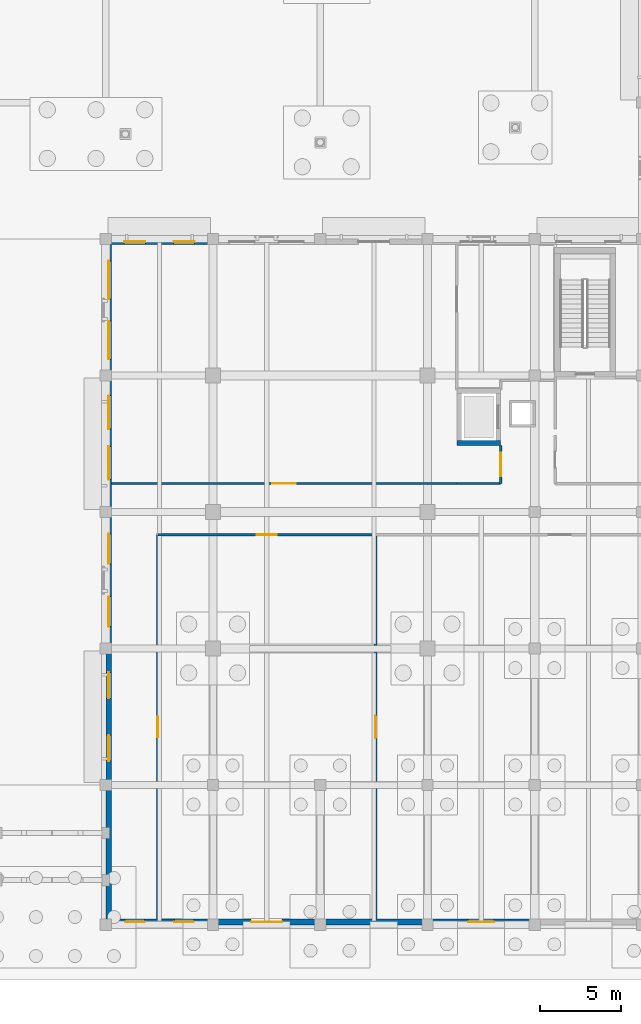
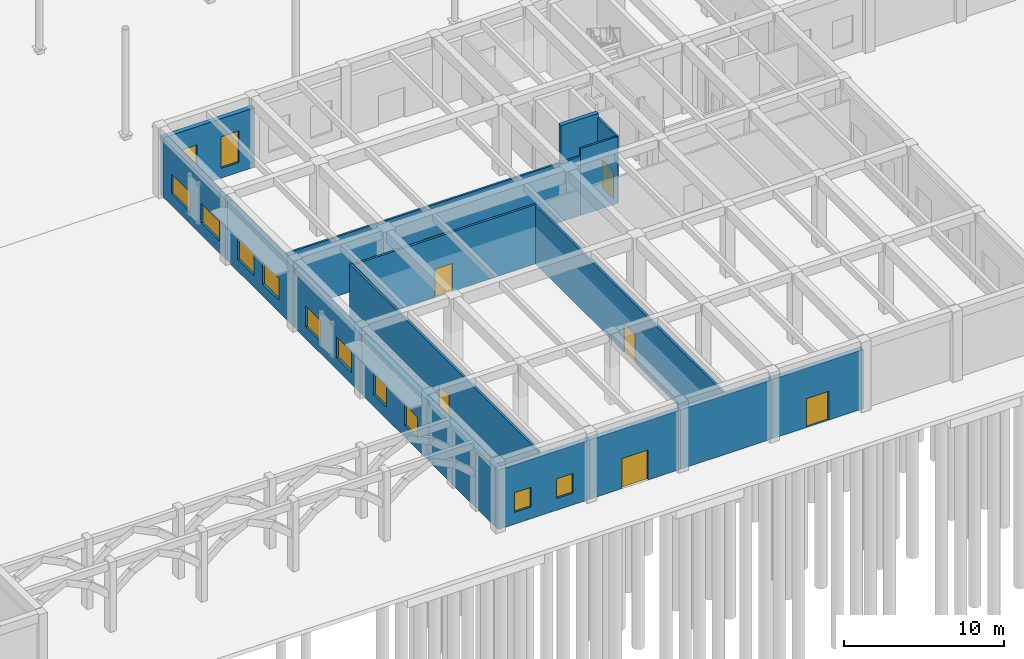
# One storey, part 52 of 82: 17 walls, 12 windows, 7 doors, 19 openings.
"""IFC4 building model written with IfcOpenShell, lengths in metres."""

from ifc_helpers import new_model, si_unit, direction, frame, frame_2d, origin, place, context, subcontext, project, spatial, rectangle, extrude, material, layer, layer_set, type_object, element, fill, save


model = new_model("IFC4")

# Units and contexts
model_context = context("Model", 3, precision=1e-05, world=origin(), true_north=direction((0.0, 1.0)))
body_context = subcontext(model_context, "Body", "Model", "MODEL_VIEW")
ifc_project = project(units=[si_unit("LENGTHUNIT", "METRE"), si_unit("AREAUNIT", "SQUARE_METRE"), si_unit("VOLUMEUNIT", "CUBIC_METRE"), si_unit("PLANEANGLEUNIT", "RADIAN"), si_unit("MASSUNIT", "GRAM", prefix="KILO")], contexts=[model_context])

# Site, building, storey
site_placement = place(None, origin())
site = spatial("IfcSite", under=ifc_project, at=site_placement, CompositionType="ELEMENT")
building_placement = place(site_placement, origin())
building = spatial("IfcBuilding", under=site, at=building_placement, Name="Kolvaren Faculty of Natural Sciences", CompositionType="ELEMENT")
storey_placement = place(building_placement, origin())
storey = spatial("IfcBuildingStorey", under=building, at=storey_placement, Name="L00", CompositionType="ELEMENT", Elevation=0.0)

# Wall, opening, door
ifc_material_1 = material(Name="Acoustic mineral-wool insulated gypsum partition")
ifc_layer_1 = layer(ifc_material_1, 0.159912109375)
ifc_layer_set_1 = layer_set([ifc_layer_1], Name="Acoustic mineral-wool insulated gypsum partition")
wall_type_1 = type_object("IfcWallType", Name="ClassroomPartitionWall_160", PredefinedType="PARTITIONING", material=ifc_layer_set_1)
wall_1_placement = place(storey_placement, frame((115.800048828125, 24.0, 0.0), z_axis=(0.0, 0.0, 1.0), x_axis=(0.0, -1.0, 0.0)))
wall_1 = element("IfcWall", 1, at=wall_1_placement, inside=storey, type_object=wall_type_1, Name="L00 interior partition PW-160", PredefinedType="PARTITIONING", context=body_context, shape_type="SweptSolid", body=[
    extrude(rectangle(XDim=23.657958984375, YDim=0.159912109375, at=frame_2d((11.8291015625, 0.0))), origin(), (0.0, 0.0, 1.0), 4.43505859375),
])
opening_1_placement = place(wall_1_placement, frame((11.14892578125, 0.0, 0.0)))
opening_1 = element("IfcOpeningElement", 2, at=opening_1_placement, cuts=wall_1, Name="Opening ID-26", PredefinedType="OPENING", context=body_context, shape_type="SweptSolid", body=[
    extrude(rectangle(XDim=1.360107421875, YDim=2.139892578125, at=frame_2d((0.68017578125, 1.06982421875))), frame((0.0, 0.08984375, 0.0), z_axis=(0.0, -1.0, 0.0), x_axis=(1.0, 0.0, 0.0)), (0.0, 0.0, 1.0), 0.179931640625),
])
ifc_material_2 = material(Name="Thermally broken anodised aluminium glazed door", Category="aluminium")
door_type_1 = type_object("IfcDoorType", Name="InteriorRoomDoor_1360x2140", OperationType="DOUBLE_DOOR_SINGLE_SWING", PredefinedType="DOOR", material=ifc_material_2)
door_1_placement = place(opening_1_placement, origin())
door_1 = element("IfcDoor", 3, at=door_1_placement, inside=storey, type_object=door_type_1, Name="D-L00-0087", OperationType="DOUBLE_DOOR_SINGLE_SWING", OverallHeight=2.139892578125, OverallWidth=1.360107421875, PredefinedType="DOOR", context=body_context, shape_type="SweptSolid", body=[
    extrude(rectangle(XDim=1.360107421875, YDim=2.139892578125, at=frame_2d((0.68017578125, 1.06982421875))), frame((0.0, 0.02490234375, 0.0), z_axis=(0.0, -1.0, 0.0), x_axis=(1.0, 0.0, 0.0)), (0.0, 0.0, 1.0), 0.050048828125),
])
fill(opening_1, door_1)

wall_2_placement = place(storey_placement, frame((102.39990234375, 0.342041015625, 0.0), z_axis=(0.0, 0.0, 1.0), x_axis=(0.0, 1.0, 0.0)))
wall_2 = element("IfcWall", 4, at=wall_2_placement, inside=storey, type_object=wall_type_1, Name="L00 interior partition PW-160", PredefinedType="PARTITIONING", context=body_context, shape_type="SweptSolid", body=[
    extrude(rectangle(XDim=23.657958984375, YDim=0.159912109375, at=frame_2d((11.8291015625, 0.0))), origin(), (0.0, 0.0, 1.0), 4.68505859375),
])
opening_2_placement = place(wall_2_placement, frame((11.208984375, 0.0, 0.0)))
opening_2 = element("IfcOpeningElement", 5, at=opening_2_placement, cuts=wall_2, Name="Opening ID-25", PredefinedType="OPENING", context=body_context, shape_type="SweptSolid", body=[
    extrude(rectangle(XDim=1.239990234375, YDim=2.139892578125, at=frame_2d((0.6201171875, 1.06982421875))), frame((0.0, 0.08984375, 0.0), z_axis=(0.0, -1.0, 0.0), x_axis=(1.0, 0.0, 0.0)), (0.0, 0.0, 1.0), 0.179931640625),
])
ifc_material_3 = material(Name="Solid-core hardwood veneer door leaf in steel frame", Category="steel")
door_type_2 = type_object("IfcDoorType", Name="InteriorRoomDoor_1240x2140", OperationType="NOTDEFINED", PredefinedType="DOOR", material=ifc_material_3)
door_2_placement = place(opening_2_placement, origin())
door_2 = element("IfcDoor", 6, at=door_2_placement, inside=storey, type_object=door_type_2, Name="D-L00-0084", OperationType="SINGLE_SWING_RIGHT", OverallHeight=2.139892578125, OverallWidth=1.239990234375, PredefinedType="DOOR", context=body_context, shape_type="SweptSolid", body=[
    extrude(rectangle(XDim=1.239990234375, YDim=2.139892578125, at=frame_2d((0.6201171875, 1.06982421875))), frame((0.0, 0.02490234375, 0.0), z_axis=(0.0, -1.0, 0.0), x_axis=(1.0, 0.0, 0.0)), (0.0, 0.0, 1.0), 0.050048828125),
])
fill(opening_2, door_2)

wall_3_placement = place(storey_placement, frame((102.39990234375, 24.0, 0.0), z_axis=(0.0, 0.0, 1.0), x_axis=(1.0, 0.0, 0.0)))
wall_3 = element("IfcWall", 7, at=wall_3_placement, inside=storey, type_object=wall_type_1, Name="L00 interior partition PW-160", PredefinedType="PARTITIONING", context=body_context, shape_type="SweptSolid", body=[
    extrude(rectangle(XDim=13.400146484375, YDim=0.159912109375, at=frame_2d((6.7001953125, 0.0))), origin(), (0.0, 0.0, 1.0), 4.534912109375),
])
opening_3_placement = place(wall_3_placement, frame((6.080078125, 0.0, 0.0)))
opening_3 = element("IfcOpeningElement", 8, at=opening_3_placement, cuts=wall_3, Name="Opening ID-25", PredefinedType="OPENING", context=body_context, shape_type="SweptSolid", body=[
    extrude(rectangle(XDim=1.239990234375, YDim=2.139892578125, at=frame_2d((0.6201171875, 1.06982421875))), frame((0.0, 0.08984375, 0.0), z_axis=(0.0, -1.0, 0.0), x_axis=(1.0, 0.0, 0.0)), (0.0, 0.0, 1.0), 0.179931640625),
])
door_3_placement = place(opening_3_placement, origin())
door_3 = element("IfcDoor", 9, at=door_3_placement, inside=storey, type_object=door_type_2, Name="D-L00-0085", OperationType="SINGLE_SWING_LEFT", OverallHeight=2.139892578125, OverallWidth=1.239990234375, PredefinedType="DOOR", context=body_context, shape_type="SweptSolid", body=[
    extrude(rectangle(XDim=1.239990234375, YDim=2.139892578125, at=frame_2d((0.6201171875, 1.06982421875))), frame((0.0, 0.02490234375, 0.0), z_axis=(0.0, -1.0, 0.0), x_axis=(1.0, 0.0, 0.0)), (0.0, 0.0, 1.0), 0.050048828125),
])
fill(opening_3, door_3)

ifc_layer_2 = layer(ifc_material_1, 0.139892578125)
ifc_layer_set_2 = layer_set([ifc_layer_2], Name="Acoustic mineral-wool insulated gypsum partition")
wall_type_2 = type_object("IfcWallType", Name="CommonsPartitionWall_140", PredefinedType="PARTITIONING", material=ifc_layer_set_2)
wall_4_placement = place(storey_placement, frame((120.800048828125, 27.14990234375, 0.0), z_axis=(0.0, 0.0, 1.0), x_axis=(-1.0, 0.0, 0.0)))
wall_4 = element("IfcWall", 10, at=wall_4_placement, inside=storey, type_object=wall_type_2, Name="L00 interior partition PW-140", PredefinedType="PARTITIONING", context=body_context, shape_type="SweptSolid", body=[
    extrude(rectangle(XDim=21.258056640625, YDim=0.139892578125, at=frame_2d((10.62890625, 0.0))), origin(), (0.0, 0.0, 1.0), 4.534912109375),
])
opening_4_placement = place(wall_4_placement, frame((9.908935546875, 0.0, 0.0)))
opening_4 = element("IfcOpeningElement", 11, at=opening_4_placement, cuts=wall_4, Name="Opening ID-27", PredefinedType="OPENING", context=body_context, shape_type="SweptSolid", body=[
    extrude(rectangle(XDim=1.43994140625, YDim=2.139892578125, at=frame_2d((0.719970703125, 1.06982421875))), frame((0.0, 0.079833984375, 0.0), z_axis=(0.0, -1.0, 0.0), x_axis=(1.0, 0.0, 0.0)), (0.0, 0.0, 1.0), 0.159912109375),
])
door_type_3 = type_object("IfcDoorType", Name="InteriorRoomDoor_1440x2140", OperationType="DOUBLE_DOOR_SINGLE_SWING", PredefinedType="DOOR", material=ifc_material_2)
door_4_placement = place(opening_4_placement, origin())
door_4 = element("IfcDoor", 12, at=door_4_placement, inside=storey, type_object=door_type_3, Name="D-L00-0088", OperationType="DOUBLE_DOOR_SINGLE_SWING", OverallHeight=2.139892578125, OverallWidth=1.43994140625, PredefinedType="DOOR", context=body_context, shape_type="SweptSolid", body=[
    extrude(rectangle(XDim=1.43994140625, YDim=2.139892578125, at=frame_2d((0.719970703125, 1.06982421875))), frame((0.0, 0.02490234375, 0.0), z_axis=(0.0, -1.0, 0.0), x_axis=(1.0, 0.0, 0.0)), (0.0, 0.0, 1.0), 0.050048828125),
])
fill(opening_4, door_4)

wall_5_placement = place(storey_placement, frame((123.5, 29.498046875, 0.0), z_axis=(0.0, 0.0, 1.0), x_axis=(0.0, -1.0, 0.0)))
wall_5 = element("IfcWall", 13, at=wall_5_placement, inside=storey, type_object=wall_type_2, Name="L00 interior partition PW-140", PredefinedType="PARTITIONING", context=body_context, shape_type="SweptSolid", body=[
    extrude(rectangle(XDim=2.34814453125, YDim=0.139892578125, at=frame_2d((1.174072265625, 0.0))), origin(), (0.0, 0.0, 1.0), 5.094970703125),
])
opening_5_placement = place(wall_5_placement, frame((0.4541015625, 0.0, 0.0)))
opening_5 = element("IfcOpeningElement", 14, at=opening_5_placement, cuts=wall_5, Name="Opening ID-27", PredefinedType="OPENING", context=body_context, shape_type="SweptSolid", body=[
    extrude(rectangle(XDim=1.43994140625, YDim=2.139892578125, at=frame_2d((0.719970703125, 1.06982421875))), frame((0.0, 0.079833984375, 0.0), z_axis=(0.0, -1.0, 0.0), x_axis=(1.0, 0.0, 0.0)), (0.0, 0.0, 1.0), 0.159912109375),
])
door_5_placement = place(opening_5_placement, origin())
door_5 = element("IfcDoor", 15, at=door_5_placement, inside=storey, type_object=door_type_3, Name="D-L00-0089", OperationType="DOUBLE_DOOR_SINGLE_SWING", OverallHeight=2.139892578125, OverallWidth=1.43994140625, PredefinedType="DOOR", context=body_context, shape_type="SweptSolid", body=[
    extrude(rectangle(XDim=1.43994140625, YDim=2.139892578125, at=frame_2d((0.719970703125, 1.06982421875))), frame((0.0, 0.02490234375, 0.0), z_axis=(0.0, -1.0, 0.0), x_axis=(1.0, 0.0, 0.0)), (0.0, 0.0, 1.0), 0.050048828125),
])
fill(opening_5, door_5)

# Wall
wall_6_placement = place(storey_placement, frame((123.5, 27.14990234375, 0.0), z_axis=(0.0, 0.0, 1.0), x_axis=(-1.0, 0.0, 0.0)))
element("IfcWall", 16, at=wall_6_placement, inside=storey, type_object=wall_type_2, Name="L00 interior partition PW-140", PredefinedType="PARTITIONING", context=body_context, shape_type="SweptSolid", body=[
    extrude(rectangle(XDim=2.699951171875, YDim=0.139892578125, at=frame_2d((1.35009765625, 0.0))), origin(), (0.0, 0.0, 1.0), 5.094970703125),
])

# Wall, opening, door
ifc_material_4 = material(Name="Sandstone-faced insulated cavity masonry", Category="masonry")
ifc_layer_3 = layer(ifc_material_4, 0.340087890625)
ifc_layer_set_3 = layer_set([ifc_layer_3], Name="Sandstone-faced insulated cavity masonry")
wall_type_3 = type_object("IfcWallType", Name="ExteriorCavityWall_340", PredefinedType="STANDARD", material=ifc_layer_set_3)
wall_7_placement = place(storey_placement, frame((125.60009765625, 0.169921875, 0.0), z_axis=(0.0, 0.0, 1.0), x_axis=(-1.0, 0.0, 0.0)))
wall_7 = element("IfcWall", 17, at=wall_7_placement, inside=storey, type_object=wall_type_3, Name="L00 exterior masonry wall EW-340 (135)", PredefinedType="STANDARD", context=body_context, shape_type="SweptSolid", body=[
    extrude(rectangle(XDim=6.60009765625, YDim=0.340087890625, at=frame_2d((3.300048828125, 0.0))), origin(), (0.0, 0.0, 1.0), 4.534912109375),
])
opening_6_placement = place(wall_7_placement, frame((2.5, 0.0, 0.0)))
opening_6 = element("IfcOpeningElement", 18, at=opening_6_placement, cuts=wall_7, Name="Opening ED-03", PredefinedType="OPENING", context=body_context, shape_type="SweptSolid", body=[
    extrude(rectangle(XDim=1.60009765625, YDim=2.199951171875, at=frame_2d((0.800048828125, 1.10009765625))), frame((0.0, 0.179931640625, 0.0), z_axis=(0.0, -1.0, 0.0), x_axis=(1.0, 0.0, 0.0)), (0.0, 0.0, 1.0), 0.360107421875),
])
ifc_material_5 = material(Name="Thermally broken anodised aluminium framing", Category="aluminium")
door_type_4 = type_object("IfcDoorType", Name="FinalExitDoubleDoor_1600x2200", OperationType="DOUBLE_DOOR_SINGLE_SWING", PredefinedType="DOOR", material=ifc_material_5)
door_6_placement = place(opening_6_placement, origin())
door_6 = element("IfcDoor", 19, at=door_6_placement, inside=storey, type_object=door_type_4, Name="D-L00-EX-22", OperationType="DOUBLE_DOOR_SINGLE_SWING", OverallHeight=2.199951171875, OverallWidth=1.60009765625, PredefinedType="DOOR", context=body_context, shape_type="SweptSolid", body=[
    extrude(rectangle(XDim=1.60009765625, YDim=2.199951171875, at=frame_2d((0.800048828125, 1.10009765625))), frame((0.0, 0.02490234375, 0.0), z_axis=(0.0, -1.0, 0.0), x_axis=(1.0, 0.0, 0.0)), (0.0, 0.0, 1.0), 0.050048828125),
])
fill(opening_6, door_6)

# Wall
wall_8_placement = place(storey_placement, frame((119.0, 0.169921875, 0.0), z_axis=(0.0, 0.0, 1.0), x_axis=(-1.0, 0.0, 0.0)))
element("IfcWall", 20, at=wall_8_placement, inside=storey, type_object=wall_type_3, Name="L00 exterior masonry wall EW-340 (136)", PredefinedType="STANDARD", context=body_context, shape_type="SweptSolid", body=[
    extrude(rectangle(XDim=6.60009765625, YDim=0.340087890625, at=frame_2d((3.300048828125, 0.0))), origin(), (0.0, 0.0, 1.0), 4.534912109375),
])

# Wall, opening, door
wall_9_placement = place(storey_placement, frame((112.39990234375, 0.169921875, 0.0), z_axis=(0.0, 0.0, 1.0), x_axis=(-1.0, 0.0, 0.0)))
wall_9 = element("IfcWall", 21, at=wall_9_placement, inside=storey, type_object=wall_type_3, Name="L00 exterior masonry wall EW-340 (137)", PredefinedType="STANDARD", context=body_context, shape_type="SweptSolid", body=[
    extrude(rectangle(XDim=6.599853515625, YDim=0.340087890625, at=frame_2d((3.2998046875, 0.0))), origin(), (0.0, 0.0, 1.0), 4.534912109375),
])
opening_7_placement = place(wall_9_placement, frame((2.35009765625, 0.0, 0.0)))
opening_7 = element("IfcOpeningElement", 22, at=opening_7_placement, cuts=wall_9, Name="Opening ED-02", PredefinedType="OPENING", context=body_context, shape_type="SweptSolid", body=[
    extrude(rectangle(XDim=1.89990234375, YDim=2.300048828125, at=frame_2d((0.949951171875, 1.14990234375))), frame((0.0, 0.179931640625, 0.0), z_axis=(0.0, -1.0, 0.0), x_axis=(1.0, 0.0, 0.0)), (0.0, 0.0, 1.0), 0.360107421875),
])
door_type_5 = type_object("IfcDoorType", Name="PlazaExitDoubleDoor_1900x2300", OperationType="DOUBLE_DOOR_SINGLE_SWING", PredefinedType="DOOR", material=ifc_material_5)
door_7_placement = place(opening_7_placement, origin())
door_7 = element("IfcDoor", 23, at=door_7_placement, inside=storey, type_object=door_type_5, Name="D-L00-EX-21", OperationType="DOUBLE_DOOR_SINGLE_SWING", OverallHeight=2.300048828125, OverallWidth=1.89990234375, PredefinedType="DOOR", context=body_context, shape_type="SweptSolid", body=[
    extrude(rectangle(XDim=1.89990234375, YDim=2.300048828125, at=frame_2d((0.949951171875, 1.14990234375))), frame((0.0, 0.02490234375, 0.0), z_axis=(0.0, -1.0, 0.0), x_axis=(1.0, 0.0, 0.0)), (0.0, 0.0, 1.0), 0.050048828125),
])
fill(opening_7, door_7)

# Wall, openings, windows
wall_10_placement = place(storey_placement, frame((105.800048828125, 0.169921875, 0.0), z_axis=(0.0, 0.0, 1.0), x_axis=(-1.0, 0.0, 0.0)))
wall_10 = element("IfcWall", 24, at=wall_10_placement, inside=storey, type_object=wall_type_3, Name="L00 exterior masonry wall EW-340 (138)", PredefinedType="STANDARD", context=body_context, shape_type="SweptSolid", body=[
    extrude(rectangle(XDim=6.60009765625, YDim=0.340087890625, at=frame_2d((3.300048828125, 0.0))), origin(), (0.0, 0.0, 1.0), 4.534912109375),
])
opening_8_placement = place(wall_10_placement, frame((1.181884765625, 0.0, 0.89990234375)))
opening_8 = element("IfcOpeningElement", 25, at=opening_8_placement, cuts=wall_10, Name="Opening WIN-13", PredefinedType="OPENING", context=body_context, shape_type="SweptSolid", body=[
    extrude(rectangle(XDim=1.199951171875, YDim=1.5, at=frame_2d((0.60009765625, 0.75))), frame((0.0, 0.179931640625, 0.0), z_axis=(0.0, -1.0, 0.0), x_axis=(1.0, 0.0, 0.0)), (0.0, 0.0, 1.0), 0.360107421875),
])
opening_9_placement = place(wall_10_placement, frame((4.218017578125, 0.0, 0.89990234375)))
opening_9 = element("IfcOpeningElement", 26, at=opening_9_placement, cuts=wall_10, Name="Opening WIN-13", PredefinedType="OPENING", context=body_context, shape_type="SweptSolid", body=[
    extrude(rectangle(XDim=1.199951171875, YDim=1.5, at=frame_2d((0.60009765625, 0.75))), frame((0.0, 0.179931640625, 0.0), z_axis=(0.0, -1.0, 0.0), x_axis=(1.0, 0.0, 0.0)), (0.0, 0.0, 1.0), 0.360107421875),
])
ifc_material_6 = material(Name="Double low-E solar control insulated glazing", Category="glass")
window_type_1 = type_object("IfcWindowType", Name="AluWindow_WIN13_1200x1500", PartitioningType="SINGLE_PANEL", PredefinedType="WINDOW", material=ifc_material_6)
window_1_placement = place(opening_8_placement, origin())
window_1 = element("IfcWindow", 27, at=window_1_placement, inside=storey, type_object=window_type_1, Name="WIN-L00-0132", OverallHeight=1.5, OverallWidth=1.199951171875, PartitioningType="SINGLE_PANEL", PredefinedType="WINDOW", context=body_context, shape_type="SweptSolid", body=[
    extrude(rectangle(XDim=1.199951171875, YDim=1.5, at=frame_2d((0.60009765625, 0.75))), frame((0.0, 0.030029296875, 0.0), z_axis=(0.0, -1.0, 0.0), x_axis=(1.0, 0.0, 0.0)), (0.0, 0.0, 1.0), 0.06005859375),
])
fill(opening_8, window_1)
window_2_placement = place(opening_9_placement, origin())
window_2 = element("IfcWindow", 28, at=window_2_placement, inside=storey, type_object=window_type_1, Name="WIN-L00-0133", OverallHeight=1.5, OverallWidth=1.199951171875, PartitioningType="SINGLE_PANEL", PredefinedType="WINDOW", context=body_context, shape_type="SweptSolid", body=[
    extrude(rectangle(XDim=1.199951171875, YDim=1.5, at=frame_2d((0.60009765625, 0.75))), frame((0.0, 0.030029296875, 0.0), z_axis=(0.0, -1.0, 0.0), x_axis=(1.0, 0.0, 0.0)), (0.0, 0.0, 1.0), 0.06005859375),
])
fill(opening_9, window_2)

# Wall
wall_11_placement = place(storey_placement, frame((99.3701171875, 0.340087890625, 0.0), z_axis=(0.0, 0.0, 1.0), x_axis=(0.0, 1.0, 0.0)))
element("IfcWall", 29, at=wall_11_placement, inside=storey, type_object=wall_type_3, Name="L00 exterior masonry wall EW-340 (139)", PredefinedType="STANDARD", context=body_context, shape_type="SweptSolid", body=[
    extrude(rectangle(XDim=8.260009765625, YDim=0.340087890625, at=frame_2d((4.1298828125, 0.0))), origin(), (0.0, 0.0, 1.0), 4.534912109375),
])

# Wall, openings, windows
wall_12_placement = place(storey_placement, frame((99.3701171875, 8.60009765625, 0.0), z_axis=(0.0, 0.0, 1.0), x_axis=(0.0, 1.0, 0.0)))
wall_12 = element("IfcWall", 30, at=wall_12_placement, inside=storey, type_object=wall_type_3, Name="L00 exterior masonry wall EW-340 (140)", PredefinedType="STANDARD", context=body_context, shape_type="SweptSolid", body=[
    extrude(rectangle(XDim=8.39990234375, YDim=0.340087890625, at=frame_2d((4.199951171875, 0.0))), origin(), (0.0, 0.0, 1.0), 4.534912109375),
])
opening_10_placement = place(wall_12_placement, frame((1.468017578125, 0.0, 0.89990234375)))
opening_10 = element("IfcOpeningElement", 31, at=opening_10_placement, cuts=wall_12, Name="Opening WIN-15", PredefinedType="OPENING", context=body_context, shape_type="SweptSolid", body=[
    extrude(rectangle(XDim=1.60009765625, YDim=1.60009765625, at=frame_2d((0.800048828125, 0.800048828125))), frame((0.0, 0.179931640625, 0.0), z_axis=(0.0, -1.0, 0.0), x_axis=(1.0, 0.0, 0.0)), (0.0, 0.0, 1.0), 0.360107421875),
])
opening_11_placement = place(wall_12_placement, frame((5.33203125, 0.0, 0.89990234375)))
opening_11 = element("IfcOpeningElement", 32, at=opening_11_placement, cuts=wall_12, Name="Opening WIN-15", PredefinedType="OPENING", context=body_context, shape_type="SweptSolid", body=[
    extrude(rectangle(XDim=1.60009765625, YDim=1.60009765625, at=frame_2d((0.800048828125, 0.800048828125))), frame((0.0, 0.179931640625, 0.0), z_axis=(0.0, -1.0, 0.0), x_axis=(1.0, 0.0, 0.0)), (0.0, 0.0, 1.0), 0.360107421875),
])
window_type_2 = type_object("IfcWindowType", Name="AluWindow_WIN15_1600x1600", PartitioningType="SINGLE_PANEL", PredefinedType="WINDOW", material=ifc_material_6)
window_3_placement = place(opening_10_placement, origin())
window_3 = element("IfcWindow", 33, at=window_3_placement, inside=storey, type_object=window_type_2, Name="WIN-L00-0134", OverallHeight=1.60009765625, OverallWidth=1.60009765625, PartitioningType="SINGLE_PANEL", PredefinedType="WINDOW", context=body_context, shape_type="SweptSolid", body=[
    extrude(rectangle(XDim=1.60009765625, YDim=1.60009765625, at=frame_2d((0.800048828125, 0.800048828125))), frame((0.0, 0.030029296875, 0.0), z_axis=(0.0, -1.0, 0.0), x_axis=(1.0, 0.0, 0.0)), (0.0, 0.0, 1.0), 0.06005859375),
])
fill(opening_10, window_3)
window_4_placement = place(opening_11_placement, origin())
window_4 = element("IfcWindow", 34, at=window_4_placement, inside=storey, type_object=window_type_2, Name="WIN-L00-0135", OverallHeight=1.60009765625, OverallWidth=1.60009765625, PartitioningType="SINGLE_PANEL", PredefinedType="WINDOW", context=body_context, shape_type="SweptSolid", body=[
    extrude(rectangle(XDim=1.60009765625, YDim=1.60009765625, at=frame_2d((0.800048828125, 0.800048828125))), frame((0.0, 0.030029296875, 0.0), z_axis=(0.0, -1.0, 0.0), x_axis=(1.0, 0.0, 0.0)), (0.0, 0.0, 1.0), 0.06005859375),
])
fill(opening_11, window_4)

wall_13_placement = place(storey_placement, frame((99.3701171875, 17.0, 0.0), z_axis=(0.0, 0.0, 1.0), x_axis=(0.0, 1.0, 0.0)))
wall_13 = element("IfcWall", 35, at=wall_13_placement, inside=storey, type_object=wall_type_3, Name="L00 exterior masonry wall EW-340 (141)", PredefinedType="STANDARD", context=body_context, shape_type="SweptSolid", body=[
    extrude(rectangle(XDim=8.39990234375, YDim=0.340087890625, at=frame_2d((4.199951171875, 0.0))), origin(), (0.0, 0.0, 1.0), 4.534912109375),
])
opening_12_placement = place(wall_13_placement, frame((1.343017578125, 0.0, 0.89990234375)))
opening_12 = element("IfcOpeningElement", 36, at=opening_12_placement, cuts=wall_13, Name="Opening WIN-16", PredefinedType="OPENING", context=body_context, shape_type="SweptSolid", body=[
    extrude(rectangle(XDim=1.85009765625, YDim=1.60009765625, at=frame_2d((0.925048828125, 0.800048828125))), frame((0.0, 0.179931640625, 0.0), z_axis=(0.0, -1.0, 0.0), x_axis=(1.0, 0.0, 0.0)), (0.0, 0.0, 1.0), 0.360107421875),
])
opening_13_placement = place(wall_13_placement, frame((5.20703125, 0.0, 0.89990234375)))
opening_13 = element("IfcOpeningElement", 37, at=opening_13_placement, cuts=wall_13, Name="Opening WIN-16", PredefinedType="OPENING", context=body_context, shape_type="SweptSolid", body=[
    extrude(rectangle(XDim=1.85009765625, YDim=1.60009765625, at=frame_2d((0.925048828125, 0.800048828125))), frame((0.0, 0.179931640625, 0.0), z_axis=(0.0, -1.0, 0.0), x_axis=(1.0, 0.0, 0.0)), (0.0, 0.0, 1.0), 0.360107421875),
])
window_type_3 = type_object("IfcWindowType", Name="AluWindow_WIN16_1850x1600", PartitioningType="SINGLE_PANEL", PredefinedType="WINDOW", material=ifc_material_6)
window_5_placement = place(opening_12_placement, origin())
window_5 = element("IfcWindow", 38, at=window_5_placement, inside=storey, type_object=window_type_3, Name="WIN-L00-0136", OverallHeight=1.60009765625, OverallWidth=1.85009765625, PartitioningType="SINGLE_PANEL", PredefinedType="WINDOW", context=body_context, shape_type="SweptSolid", body=[
    extrude(rectangle(XDim=1.85009765625, YDim=1.60009765625, at=frame_2d((0.925048828125, 0.800048828125))), frame((0.0, 0.030029296875, 0.0), z_axis=(0.0, -1.0, 0.0), x_axis=(1.0, 0.0, 0.0)), (0.0, 0.0, 1.0), 0.06005859375),
])
fill(opening_12, window_5)
window_6_placement = place(opening_13_placement, origin())
window_6 = element("IfcWindow", 39, at=window_6_placement, inside=storey, type_object=window_type_3, Name="WIN-L00-0137", OverallHeight=1.60009765625, OverallWidth=1.85009765625, PartitioningType="SINGLE_PANEL", PredefinedType="WINDOW", context=body_context, shape_type="SweptSolid", body=[
    extrude(rectangle(XDim=1.85009765625, YDim=1.60009765625, at=frame_2d((0.925048828125, 0.800048828125))), frame((0.0, 0.030029296875, 0.0), z_axis=(0.0, -1.0, 0.0), x_axis=(1.0, 0.0, 0.0)), (0.0, 0.0, 1.0), 0.06005859375),
])
fill(opening_13, window_6)

wall_14_placement = place(storey_placement, frame((99.3701171875, 25.39990234375, 0.0), z_axis=(0.0, 0.0, 1.0), x_axis=(0.0, 1.0, 0.0)))
wall_14 = element("IfcWall", 40, at=wall_14_placement, inside=storey, type_object=wall_type_3, Name="L00 exterior masonry wall EW-340 (142)", PredefinedType="STANDARD", context=body_context, shape_type="SweptSolid", body=[
    extrude(rectangle(XDim=8.400146484375, YDim=0.340087890625, at=frame_2d((4.2001953125, 0.0))), origin(), (0.0, 0.0, 1.0), 4.534912109375),
])
opening_14_placement = place(wall_14_placement, frame((1.989990234375, 0.0, 0.89990234375)))
opening_14 = element("IfcOpeningElement", 41, at=opening_14_placement, cuts=wall_14, Name="Opening WIN-17", PredefinedType="OPENING", context=body_context, shape_type="SweptSolid", body=[
    extrude(rectangle(XDim=2.050048828125, YDim=1.64990234375, at=frame_2d((1.02490234375, 0.824951171875))), frame((0.0, 0.179931640625, 0.0), z_axis=(0.0, -1.0, 0.0), x_axis=(1.0, 0.0, 0.0)), (0.0, 0.0, 1.0), 0.360107421875),
])
opening_15_placement = place(wall_14_placement, frame((5.10693359375, 0.0, 0.89990234375)))
opening_15 = element("IfcOpeningElement", 42, at=opening_15_placement, cuts=wall_14, Name="Opening WIN-17", PredefinedType="OPENING", context=body_context, shape_type="SweptSolid", body=[
    extrude(rectangle(XDim=2.050048828125, YDim=1.64990234375, at=frame_2d((1.02490234375, 0.824951171875))), frame((0.0, 0.179931640625, 0.0), z_axis=(0.0, -1.0, 0.0), x_axis=(1.0, 0.0, 0.0)), (0.0, 0.0, 1.0), 0.360107421875),
])
window_type_4 = type_object("IfcWindowType", Name="AluWindow_WIN17_2050x1650", PartitioningType="SINGLE_PANEL", PredefinedType="WINDOW", material=ifc_material_6)
window_7_placement = place(opening_14_placement, origin())
window_7 = element("IfcWindow", 43, at=window_7_placement, inside=storey, type_object=window_type_4, Name="WIN-L00-0138", OverallHeight=1.64990234375, OverallWidth=2.050048828125, PartitioningType="SINGLE_PANEL", PredefinedType="WINDOW", context=body_context, shape_type="SweptSolid", body=[
    extrude(rectangle(XDim=2.050048828125, YDim=1.64990234375, at=frame_2d((1.02490234375, 0.824951171875))), frame((0.0, 0.030029296875, 0.0), z_axis=(0.0, -1.0, 0.0), x_axis=(1.0, 0.0, 0.0)), (0.0, 0.0, 1.0), 0.06005859375),
])
fill(opening_14, window_7)
window_8_placement = place(opening_15_placement, origin())
window_8 = element("IfcWindow", 44, at=window_8_placement, inside=storey, type_object=window_type_4, Name="WIN-L00-0139", OverallHeight=1.64990234375, OverallWidth=2.050048828125, PartitioningType="SINGLE_PANEL", PredefinedType="WINDOW", context=body_context, shape_type="SweptSolid", body=[
    extrude(rectangle(XDim=2.050048828125, YDim=1.64990234375, at=frame_2d((1.02490234375, 0.824951171875))), frame((0.0, 0.030029296875, 0.0), z_axis=(0.0, -1.0, 0.0), x_axis=(1.0, 0.0, 0.0)), (0.0, 0.0, 1.0), 0.06005859375),
])
fill(opening_15, window_8)

wall_15_placement = place(storey_placement, frame((99.3701171875, 33.800048828125, 0.0), z_axis=(0.0, 0.0, 1.0), x_axis=(0.0, 1.0, 0.0)))
wall_15 = element("IfcWall", 45, at=wall_15_placement, inside=storey, type_object=wall_type_3, Name="L00 exterior masonry wall EW-340 (143)", PredefinedType="STANDARD", context=body_context, shape_type="SweptSolid", body=[
    extrude(rectangle(XDim=8.06005859375, YDim=0.340087890625, at=frame_2d((4.030029296875, 0.0))), origin(), (0.0, 0.0, 1.0), 4.534912109375),
])
opening_16_placement = place(wall_15_placement, frame((1.001220703125, 0.0, 0.89990234375)))
opening_16 = element("IfcOpeningElement", 46, at=opening_16_placement, cuts=wall_15, Name="Opening WIN-18", PredefinedType="OPENING", context=body_context, shape_type="SweptSolid", body=[
    extrude(rectangle(XDim=2.35009765625, YDim=1.5, at=frame_2d((1.175048828125, 0.75))), frame((0.0, 0.179931640625, 0.0), z_axis=(0.0, -1.0, 0.0), x_axis=(1.0, 0.0, 0.0)), (0.0, 0.0, 1.0), 0.360107421875),
])
opening_17_placement = place(wall_15_placement, frame((4.708740234375, 0.0, 0.89990234375)))
opening_17 = element("IfcOpeningElement", 47, at=opening_17_placement, cuts=wall_15, Name="Opening WIN-18", PredefinedType="OPENING", context=body_context, shape_type="SweptSolid", body=[
    extrude(rectangle(XDim=2.35009765625, YDim=1.5, at=frame_2d((1.175048828125, 0.75))), frame((0.0, 0.179931640625, 0.0), z_axis=(0.0, -1.0, 0.0), x_axis=(1.0, 0.0, 0.0)), (0.0, 0.0, 1.0), 0.360107421875),
])
window_type_5 = type_object("IfcWindowType", Name="AluWindow_WIN18_2350x1500", PartitioningType="SINGLE_PANEL", PredefinedType="WINDOW", material=ifc_material_6)
window_9_placement = place(opening_16_placement, origin())
window_9 = element("IfcWindow", 48, at=window_9_placement, inside=storey, type_object=window_type_5, Name="WIN-L00-0140", OverallHeight=1.5, OverallWidth=2.35009765625, PartitioningType="SINGLE_PANEL", PredefinedType="WINDOW", context=body_context, shape_type="SweptSolid", body=[
    extrude(rectangle(XDim=2.35009765625, YDim=1.5, at=frame_2d((1.175048828125, 0.75))), frame((0.0, 0.030029296875, 0.0), z_axis=(0.0, -1.0, 0.0), x_axis=(1.0, 0.0, 0.0)), (0.0, 0.0, 1.0), 0.06005859375),
])
fill(opening_16, window_9)
window_10_placement = place(opening_17_placement, origin())
window_10 = element("IfcWindow", 49, at=window_10_placement, inside=storey, type_object=window_type_5, Name="WIN-L00-0141", OverallHeight=1.5, OverallWidth=2.35009765625, PartitioningType="SINGLE_PANEL", PredefinedType="WINDOW", context=body_context, shape_type="SweptSolid", body=[
    extrude(rectangle(XDim=2.35009765625, YDim=1.5, at=frame_2d((1.175048828125, 0.75))), frame((0.0, 0.030029296875, 0.0), z_axis=(0.0, -1.0, 0.0), x_axis=(1.0, 0.0, 0.0)), (0.0, 0.0, 1.0), 0.06005859375),
])
fill(opening_17, window_10)

wall_16_placement = place(storey_placement, frame((99.199951171875, 42.030029296875, 0.0), z_axis=(0.0, 0.0, 1.0), x_axis=(1.0, 0.0, 0.0)))
wall_16 = element("IfcWall", 50, at=wall_16_placement, inside=storey, type_object=wall_type_3, Name="L00 exterior masonry wall EW-340 (144)", PredefinedType="STANDARD", context=body_context, shape_type="SweptSolid", body=[
    extrude(rectangle(XDim=6.60009765625, YDim=0.340087890625, at=frame_2d((3.300048828125, 0.0))), origin(), (0.0, 0.0, 1.0), 4.534912109375),
])
opening_18_placement = place(wall_16_placement, frame((1.132080078125, 0.0, 0.75)))
opening_18 = element("IfcOpeningElement", 51, at=opening_18_placement, cuts=wall_16, Name="Opening WIN-19", PredefinedType="OPENING", context=body_context, shape_type="SweptSolid", body=[
    extrude(rectangle(XDim=1.300048828125, YDim=2.39990234375, at=frame_2d((0.64990234375, 1.199951171875))), frame((0.0, 0.179931640625, 0.0), z_axis=(0.0, -1.0, 0.0), x_axis=(1.0, 0.0, 0.0)), (0.0, 0.0, 1.0), 0.360107421875),
])
opening_19_placement = place(wall_16_placement, frame((4.16796875, 0.0, 0.75)))
opening_19 = element("IfcOpeningElement", 52, at=opening_19_placement, cuts=wall_16, Name="Opening WIN-19", PredefinedType="OPENING", context=body_context, shape_type="SweptSolid", body=[
    extrude(rectangle(XDim=1.300048828125, YDim=2.39990234375, at=frame_2d((0.64990234375, 1.199951171875))), frame((0.0, 0.179931640625, 0.0), z_axis=(0.0, -1.0, 0.0), x_axis=(1.0, 0.0, 0.0)), (0.0, 0.0, 1.0), 0.360107421875),
])
window_type_6 = type_object("IfcWindowType", Name="AluWindow_WIN19_1300x2400", PartitioningType="SINGLE_PANEL", PredefinedType="WINDOW", material=ifc_material_6)
window_11_placement = place(opening_18_placement, origin())
window_11 = element("IfcWindow", 53, at=window_11_placement, inside=storey, type_object=window_type_6, Name="WIN-L00-0142", OverallHeight=2.39990234375, OverallWidth=1.300048828125, PartitioningType="SINGLE_PANEL", PredefinedType="WINDOW", context=body_context, shape_type="SweptSolid", body=[
    extrude(rectangle(XDim=1.300048828125, YDim=2.39990234375, at=frame_2d((0.64990234375, 1.199951171875))), frame((0.0, 0.030029296875, 0.0), z_axis=(0.0, -1.0, 0.0), x_axis=(1.0, 0.0, 0.0)), (0.0, 0.0, 1.0), 0.06005859375),
])
fill(opening_18, window_11)
window_12_placement = place(opening_19_placement, origin())
window_12 = element("IfcWindow", 54, at=window_12_placement, inside=storey, type_object=window_type_6, Name="WIN-L00-0143", OverallHeight=2.39990234375, OverallWidth=1.300048828125, PartitioningType="SINGLE_PANEL", PredefinedType="WINDOW", context=body_context, shape_type="SweptSolid", body=[
    extrude(rectangle(XDim=1.300048828125, YDim=2.39990234375, at=frame_2d((0.64990234375, 1.199951171875))), frame((0.0, 0.030029296875, 0.0), z_axis=(0.0, -1.0, 0.0), x_axis=(1.0, 0.0, 0.0)), (0.0, 0.0, 1.0), 0.06005859375),
])
fill(opening_19, window_12)

# Wall
ifc_material_7 = material(Name="Concrete C40/50", Category="concrete")
ifc_layer_4 = layer(ifc_material_7, 0.300048828125)
ifc_layer_set_4 = layer_set([ifc_layer_4], Name="Concrete C40/50")
wall_type_4 = type_object("IfcWallType", Name="ShaftShearWall_300", PredefinedType="SHEAR", material=ifc_layer_set_4)
wall_17_placement = place(storey_placement, frame((120.800048828125, 29.64990234375, 0.0), z_axis=(0.0, 0.0, 1.0), x_axis=(1.0, 0.0, 0.0)))
element("IfcWall", 55, at=wall_17_placement, inside=storey, type_object=wall_type_4, Name="L00 lift GL-1 shaft wall S", PredefinedType="SHEAR", context=body_context, shape_type="SweptSolid", body=[
    extrude(rectangle(XDim=2.699951171875, YDim=0.300048828125, at=frame_2d((1.35009765625, 0.0))), origin(), (0.0, 0.0, 1.0), 5.39990234375),
])

save(model, "model.ifc")
